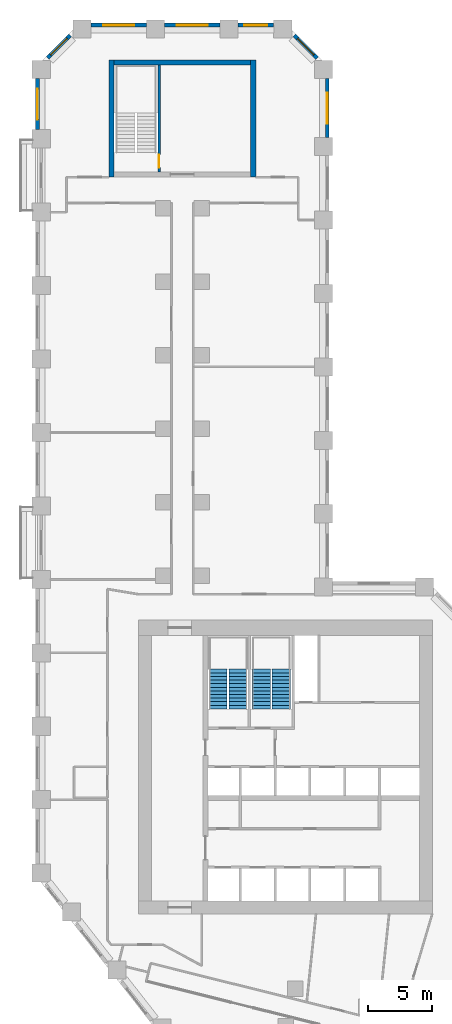
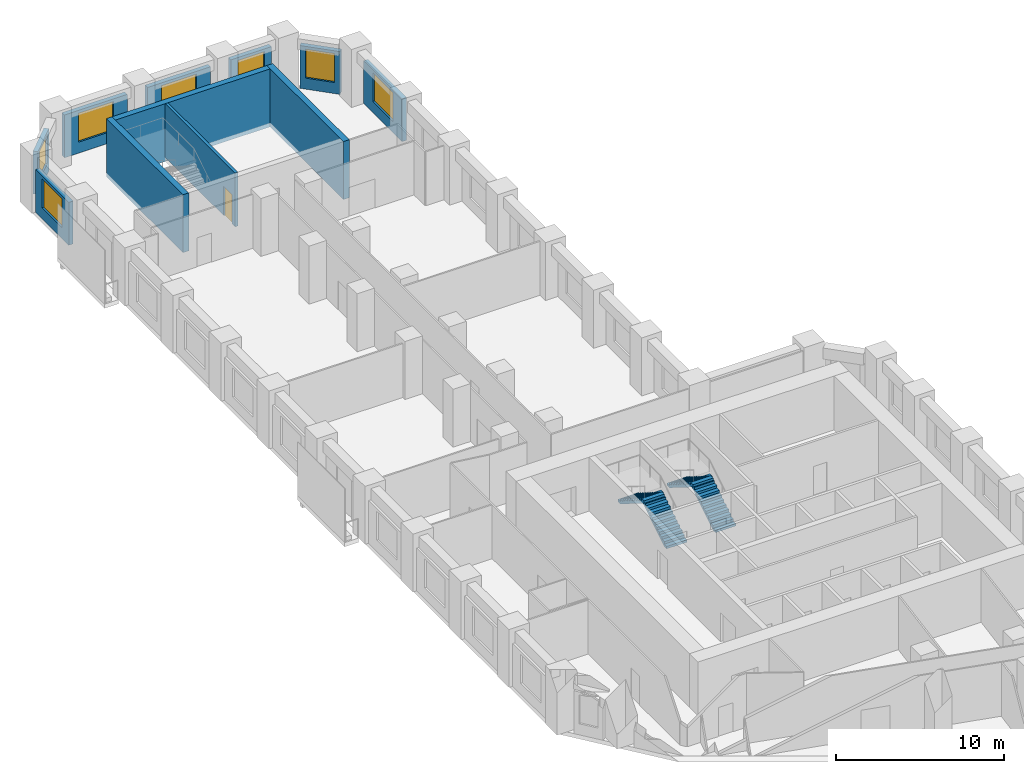
# One storey, part 9 of 11: 11 walls, 7 windows, 4 stair flights, 1 door, 8 openings, 2 elements without a shape of their own.
"""IFC4 building model written with IfcOpenShell, lengths in metres."""

from ifc_helpers import new_model, si_unit, direction, frame, frame_2d, origin, place, context, subcontext, project, spatial, polyline, rectangle, outline, extrude, material, layer, layer_set, type_object, element, fill, aggregate, save


model = new_model("IFC4")

# Units and contexts
model_context = context("Model", 3, precision=1e-05, world=origin(), true_north=direction((0.0, 1.0)))
body_context = subcontext(model_context, "Body", "Model", "MODEL_VIEW")
ifc_project = project(units=[si_unit("LENGTHUNIT", "METRE"), si_unit("AREAUNIT", "SQUARE_METRE"), si_unit("VOLUMEUNIT", "CUBIC_METRE"), si_unit("PLANEANGLEUNIT", "RADIAN"), si_unit("MASSUNIT", "GRAM", prefix="KILO")], contexts=[model_context])

# Site, building, storey
site_placement = place(None, origin())
site = spatial("IfcSite", under=ifc_project, at=site_placement, CompositionType="ELEMENT")
building_placement = place(site_placement, origin())
building = spatial("IfcBuilding", under=site, at=building_placement, Name="Meshkara Civic Tower", CompositionType="ELEMENT")
storey_placement = place(building_placement, frame((0.0, 0.0, 54.0)))
storey = spatial("IfcBuildingStorey", under=building, at=storey_placement, Name="L11", CompositionType="ELEMENT", Elevation=54.0)

# Wall, opening, window
ifc_material_1 = material(Name="Insulated infill panel with bronze anodised aluminium cladding", Category="aluminium")
ifc_layer_1 = layer(ifc_material_1, 0.300048828125)
ifc_layer_set_1 = layer_set([ifc_layer_1], Name="EXTERNAL INFILL WALL 300")
wall_type_1 = type_object("IfcWallType", Name="EXTERNAL INFILL WALL 300", PredefinedType="SOLIDWALL", material=ifc_layer_set_1)
wall_1_placement = place(storey_placement, frame((22.64990234375, 74.35009765625, 0.0), z_axis=(0.0, 0.0, 1.0), x_axis=(0.0, 1.0, 0.0)))
wall_1 = element("IfcWall", 1, at=wall_1_placement, inside=storey, type_object=wall_type_1, Name="External wall", PredefinedType="SOLIDWALL", context=body_context, shape_type="SweptSolid", body=[
    extrude(rectangle(XDim=4.56396484375, YDim=0.300048828125, at=frame_2d((2.281982421875, 0.0))), origin(), (0.0, 0.0, 1.0), 3.10009765625),
])
opening_1_placement = place(wall_1_placement, frame((1.08203125, 0.0, 0.800048828125)))
opening_1 = element("IfcOpeningElement", 2, at=opening_1_placement, cuts=wall_1, Name="Opening W7", PredefinedType="OPENING", context=body_context, shape_type="SweptSolid", body=[
    extrude(rectangle(XDim=2.39990234375, YDim=2.10009765625, at=frame_2d((1.199951171875, 1.050048828125))), frame((0.0, 0.159912109375, 0.0), z_axis=(0.0, -1.0, 0.0), x_axis=(1.0, 0.0, 0.0)), (0.0, 0.0, 1.0), 0.320068359375),
])
ifc_material_2 = material(Name="Tinted double glazing", Category="glass")
window_type_1 = type_object("IfcWindowType", Name="WINDOW 2400x2100", PartitioningType="DOUBLE_PANEL_VERTICAL", PredefinedType="WINDOW", material=ifc_material_2)
window_1_placement = place(opening_1_placement, origin())
window_1 = element("IfcWindow", 3, at=window_1_placement, inside=storey, type_object=window_type_1, Name="Window", OverallHeight=2.10009765625, OverallWidth=2.39990234375, PartitioningType="DOUBLE_PANEL_VERTICAL", PredefinedType="WINDOW", context=body_context, shape_type="SweptSolid", body=[
    extrude(rectangle(XDim=2.39990234375, YDim=2.10009765625, at=frame_2d((1.199951171875, 1.050048828125))), frame((0.0, 0.030029296875, 0.0), z_axis=(0.0, -1.0, 0.0), x_axis=(1.0, 0.0, 0.0)), (0.0, 0.0, 1.0), 0.06005859375),
])
fill(opening_1, window_1)

wall_2_placement = place(storey_placement, frame((21.862060546875, 80.52587890625, 0.0), z_axis=(0.0, 0.0, 1.0), x_axis=(-0.707106781187, 0.707106781187, 0.0)))
wall_2 = element("IfcWall", 4, at=wall_2_placement, inside=storey, type_object=wall_type_1, Name="External wall", PredefinedType="SOLIDWALL", context=body_context, shape_type="SweptSolid", body=[
    extrude(rectangle(XDim=2.4833984375, YDim=0.300048828125, at=frame_2d((1.24169921875, 0.0))), origin(), (0.0, 0.0, 1.0), 3.10009765625),
])
opening_2_placement = place(wall_2_placement, frame((0.342041015625, 0.0, 0.800048828125)))
opening_2 = element("IfcOpeningElement", 5, at=opening_2_placement, cuts=wall_2, Name="Opening W9", PredefinedType="OPENING", context=body_context, shape_type="SweptSolid", body=[
    extrude(rectangle(XDim=1.800048828125, YDim=2.10009765625, at=frame_2d((0.89990234375, 1.050048828125))), frame((0.0, 0.159912109375, 0.0), z_axis=(0.0, -1.0, 0.0), x_axis=(1.0, 0.0, 0.0)), (0.0, 0.0, 1.0), 0.320068359375),
])
ifc_material_3 = material(Name="Tinted double glazing", Category="glass")
window_type_2 = type_object("IfcWindowType", Name="WINDOW 1800x2100", PartitioningType="DOUBLE_PANEL_VERTICAL", PredefinedType="WINDOW", material=ifc_material_3)
window_2_placement = place(opening_2_placement, origin())
window_2 = element("IfcWindow", 6, at=window_2_placement, inside=storey, type_object=window_type_2, Name="Window", OverallHeight=2.10009765625, OverallWidth=1.800048828125, PartitioningType="DOUBLE_PANEL_VERTICAL", PredefinedType="WINDOW", context=body_context, shape_type="SweptSolid", body=[
    extrude(rectangle(XDim=1.800048828125, YDim=2.10009765625, at=frame_2d((0.89990234375, 1.050048828125))), frame((0.0, 0.030029296875, 0.0), z_axis=(0.0, -1.0, 0.0), x_axis=(1.0, 0.0, 0.0)), (0.0, 0.0, 1.0), 0.06005859375),
])
fill(opening_2, window_2)

wall_3_placement = place(storey_placement, frame((18.493896484375, 83.070068359375, 0.0), z_axis=(0.0, 0.0, 1.0), x_axis=(-1.0, 0.0, 0.0)))
wall_3 = element("IfcWall", 7, at=wall_3_placement, inside=storey, type_object=wall_type_1, Name="External wall", PredefinedType="SOLIDWALL", context=body_context, shape_type="SweptSolid", body=[
    extrude(rectangle(XDim=2.787841796875, YDim=0.300048828125, at=frame_2d((1.39404296875, 0.0))), origin(), (0.0, 0.0, 1.0), 3.10009765625),
])
opening_3_placement = place(wall_3_placement, frame((0.493896484375, 0.0, 0.800048828125)))
opening_3 = element("IfcOpeningElement", 8, at=opening_3_placement, cuts=wall_3, Name="Opening W9", PredefinedType="OPENING", context=body_context, shape_type="SweptSolid", body=[
    extrude(rectangle(XDim=1.800048828125, YDim=2.10009765625, at=frame_2d((0.89990234375, 1.050048828125))), frame((0.0, 0.159912109375, 0.0), z_axis=(0.0, -1.0, 0.0), x_axis=(1.0, 0.0, 0.0)), (0.0, 0.0, 1.0), 0.320068359375),
])
window_3_placement = place(opening_3_placement, origin())
window_3 = element("IfcWindow", 9, at=window_3_placement, inside=storey, type_object=window_type_2, Name="Window", OverallHeight=2.10009765625, OverallWidth=1.800048828125, PartitioningType="DOUBLE_PANEL_VERTICAL", PredefinedType="WINDOW", context=body_context, shape_type="SweptSolid", body=[
    extrude(rectangle(XDim=1.800048828125, YDim=2.10009765625, at=frame_2d((0.89990234375, 1.050048828125))), frame((0.0, 0.030029296875, 0.0), z_axis=(0.0, -1.0, 0.0), x_axis=(1.0, 0.0, 0.0)), (0.0, 0.0, 1.0), 0.06005859375),
])
fill(opening_3, window_3)

wall_4_placement = place(storey_placement, frame((14.305908203125, 83.070068359375, 0.0), z_axis=(0.0, 0.0, 1.0), x_axis=(-1.0, 0.0, 0.0)))
wall_4 = element("IfcWall", 10, at=wall_4_placement, inside=storey, type_object=wall_type_1, Name="External wall", PredefinedType="SOLIDWALL", context=body_context, shape_type="SweptSolid", body=[
    extrude(rectangle(XDim=4.2998046875, YDim=0.300048828125, at=frame_2d((2.14990234375, 0.0))), origin(), (0.0, 0.0, 1.0), 3.10009765625),
])
opening_4_placement = place(wall_4_placement, frame((0.949951171875, 0.0, 0.800048828125)))
opening_4 = element("IfcOpeningElement", 11, at=opening_4_placement, cuts=wall_4, Name="Opening W7", PredefinedType="OPENING", context=body_context, shape_type="SweptSolid", body=[
    extrude(rectangle(XDim=2.39990234375, YDim=2.10009765625, at=frame_2d((1.199951171875, 1.050048828125))), frame((0.0, 0.159912109375, 0.0), z_axis=(0.0, -1.0, 0.0), x_axis=(1.0, 0.0, 0.0)), (0.0, 0.0, 1.0), 0.320068359375),
])
window_4_placement = place(opening_4_placement, origin())
window_4 = element("IfcWindow", 12, at=window_4_placement, inside=storey, type_object=window_type_1, Name="Window", OverallHeight=2.10009765625, OverallWidth=2.39990234375, PartitioningType="DOUBLE_PANEL_VERTICAL", PredefinedType="WINDOW", context=body_context, shape_type="SweptSolid", body=[
    extrude(rectangle(XDim=2.39990234375, YDim=2.10009765625, at=frame_2d((1.199951171875, 1.050048828125))), frame((0.0, 0.030029296875, 0.0), z_axis=(0.0, -1.0, 0.0), x_axis=(1.0, 0.0, 0.0)), (0.0, 0.0, 1.0), 0.06005859375),
])
fill(opening_4, window_4)

wall_5_placement = place(storey_placement, frame((8.60595703125, 83.070068359375, 0.0), z_axis=(0.0, 0.0, 1.0), x_axis=(-1.0, 0.0, 0.0)))
wall_5 = element("IfcWall", 13, at=wall_5_placement, inside=storey, type_object=wall_type_1, Name="External wall", PredefinedType="SOLIDWALL", context=body_context, shape_type="SweptSolid", body=[
    extrude(rectangle(XDim=4.300048828125, YDim=0.300048828125, at=frame_2d((2.14990234375, 0.0))), origin(), (0.0, 0.0, 1.0), 3.10009765625),
])
opening_5_placement = place(wall_5_placement, frame((0.949951171875, 0.0, 0.800048828125)))
opening_5 = element("IfcOpeningElement", 14, at=opening_5_placement, cuts=wall_5, Name="Opening W7", PredefinedType="OPENING", context=body_context, shape_type="SweptSolid", body=[
    extrude(rectangle(XDim=2.39990234375, YDim=2.10009765625, at=frame_2d((1.199951171875, 1.050048828125))), frame((0.0, 0.159912109375, 0.0), z_axis=(0.0, -1.0, 0.0), x_axis=(1.0, 0.0, 0.0)), (0.0, 0.0, 1.0), 0.320068359375),
])
window_5_placement = place(opening_5_placement, origin())
window_5 = element("IfcWindow", 15, at=window_5_placement, inside=storey, type_object=window_type_1, Name="Window", OverallHeight=2.10009765625, OverallWidth=2.39990234375, PartitioningType="DOUBLE_PANEL_VERTICAL", PredefinedType="WINDOW", context=body_context, shape_type="SweptSolid", body=[
    extrude(rectangle(XDim=2.39990234375, YDim=2.10009765625, at=frame_2d((1.199951171875, 1.050048828125))), frame((0.0, 0.030029296875, 0.0), z_axis=(0.0, -1.0, 0.0), x_axis=(1.0, 0.0, 0.0)), (0.0, 0.0, 1.0), 0.06005859375),
])
fill(opening_5, window_5)

wall_6_placement = place(storey_placement, frame((2.694091796875, 82.281982421875, 0.0), z_axis=(0.0, 0.0, 1.0), x_axis=(-0.707106781187, -0.707106781187, 0.0)))
wall_6 = element("IfcWall", 16, at=wall_6_placement, inside=storey, type_object=wall_type_1, Name="External wall", PredefinedType="SOLIDWALL", context=body_context, shape_type="SweptSolid", body=[
    extrude(rectangle(XDim=2.4833984375, YDim=0.300048828125, at=frame_2d((1.24169921875, 0.0))), origin(), (0.0, 0.0, 1.0), 3.10009765625),
])
opening_6_placement = place(wall_6_placement, frame((0.342041015625, 0.0, 0.800048828125)))
opening_6 = element("IfcOpeningElement", 17, at=opening_6_placement, cuts=wall_6, Name="Opening W9", PredefinedType="OPENING", context=body_context, shape_type="SweptSolid", body=[
    extrude(rectangle(XDim=1.800048828125, YDim=2.10009765625, at=frame_2d((0.89990234375, 1.050048828125))), frame((0.0, 0.159912109375, 0.0), z_axis=(0.0, -1.0, 0.0), x_axis=(1.0, 0.0, 0.0)), (0.0, 0.0, 1.0), 0.320068359375),
])
window_6_placement = place(opening_6_placement, origin())
window_6 = element("IfcWindow", 18, at=window_6_placement, inside=storey, type_object=window_type_2, Name="Window", OverallHeight=2.10009765625, OverallWidth=1.800048828125, PartitioningType="DOUBLE_PANEL_VERTICAL", PredefinedType="WINDOW", context=body_context, shape_type="SweptSolid", body=[
    extrude(rectangle(XDim=1.800048828125, YDim=2.10009765625, at=frame_2d((0.89990234375, 1.050048828125))), frame((0.0, 0.030029296875, 0.0), z_axis=(0.0, -1.0, 0.0), x_axis=(1.0, 0.0, 0.0)), (0.0, 0.0, 1.0), 0.06005859375),
])
fill(opening_6, window_6)

wall_7_placement = place(storey_placement, frame((0.14990234375, 78.9140625, 0.0), z_axis=(0.0, 0.0, 1.0), x_axis=(0.0, -1.0, 0.0)))
wall_7 = element("IfcWall", 19, at=wall_7_placement, inside=storey, type_object=wall_type_1, Name="External wall", PredefinedType="SOLIDWALL", context=body_context, shape_type="SweptSolid", body=[
    extrude(rectangle(XDim=3.958984375, YDim=0.300048828125, at=frame_2d((1.9794921875, 0.0))), origin(), (0.0, 0.0, 1.0), 3.10009765625),
])
opening_7_placement = place(wall_7_placement, frame((0.780029296875, 0.0, 0.800048828125)))
opening_7 = element("IfcOpeningElement", 20, at=opening_7_placement, cuts=wall_7, Name="Opening W7", PredefinedType="OPENING", context=body_context, shape_type="SweptSolid", body=[
    extrude(rectangle(XDim=2.39990234375, YDim=2.10009765625, at=frame_2d((1.199951171875, 1.050048828125))), frame((0.0, 0.159912109375, 0.0), z_axis=(0.0, -1.0, 0.0), x_axis=(1.0, 0.0, 0.0)), (0.0, 0.0, 1.0), 0.320068359375),
])
window_7_placement = place(opening_7_placement, origin())
window_7 = element("IfcWindow", 21, at=window_7_placement, inside=storey, type_object=window_type_1, Name="Window", OverallHeight=2.10009765625, OverallWidth=2.39990234375, PartitioningType="DOUBLE_PANEL_VERTICAL", PredefinedType="WINDOW", context=body_context, shape_type="SweptSolid", body=[
    extrude(rectangle(XDim=2.39990234375, YDim=2.10009765625, at=frame_2d((1.199951171875, 1.050048828125))), frame((0.0, 0.030029296875, 0.0), z_axis=(0.0, -1.0, 0.0), x_axis=(1.0, 0.0, 0.0)), (0.0, 0.0, 1.0), 0.06005859375),
])
fill(opening_7, window_7)

# Walls
ifc_material_4 = material(Name="Concrete C80", Category="concrete")
ifc_layer_2 = layer(ifc_material_4, 0.39990234375)
ifc_layer_set_2 = layer_set([ifc_layer_2], Name="End core ring wall 400 C80")
wall_type_2 = type_object("IfcWallType", Name="End core ring wall 400 C80", PredefinedType="SHEAR", material=ifc_layer_set_2)
for number, where, z_axis, x_axis, name in (
    (22, (5.89990234375, 71.27001953125, -0.300048828125), (0.0, 0.0, 1.0), (0.0, 1.0, 0.0), "L11-C025"),
    (23, (16.89990234375, 71.27001953125, -0.300048828125), (0.0, 0.0, 1.0), (0.0, 1.0, 0.0), "L11-C026"),
):
    element("IfcWall", number, at=place(storey_placement, frame(where, z_axis=z_axis, x_axis=x_axis)), inside=storey, type_object=wall_type_2, Name=name, PredefinedType="SHEAR", context=body_context, shape_type="SweptSolid", body=[
        extrude(rectangle(XDim=9.10009765625, YDim=0.39990234375, at=frame_2d((4.550048828125, 0.0))), origin(), (0.0, 0.0, 1.0), 4.199951171875),
    ])
wall_8_placement = place(storey_placement, frame((6.10009765625, 80.169921875, -0.300048828125), z_axis=(0.0, 0.0, 1.0), x_axis=(1.0, 0.0, 0.0)))
element("IfcWall", 24, at=wall_8_placement, inside=storey, type_object=wall_type_2, Name="L11-C028", PredefinedType="SHEAR", context=body_context, shape_type="SweptSolid", body=[
    extrude(rectangle(XDim=10.599853515625, YDim=0.39990234375, at=frame_2d((5.2998046875, 0.0))), origin(), (0.0, 0.0, 1.0), 4.199951171875),
])

# Wall, opening, door
ifc_material_5 = material(Name="Concrete C40/50", Category="concrete")
ifc_layer_3 = layer(ifc_material_5, 0.199951171875)
ifc_layer_set_3 = layer_set([ifc_layer_3], Name="Stair enclosure wall 200 C40/50")
wall_type_3 = type_object("IfcWallType", Name="Stair enclosure wall 200 C40/50", PredefinedType="SOLIDWALL", material=ifc_layer_set_3)
wall_9_placement = place(storey_placement, frame((9.60009765625, 71.669921875, 0.0), z_axis=(0.0, 0.0, 1.0), x_axis=(0.0, 1.0, 0.0)))
wall_9 = element("IfcWall", 25, at=wall_9_placement, inside=storey, type_object=wall_type_3, Name="L11-C029", PredefinedType="SOLIDWALL", context=body_context, shape_type="SweptSolid", body=[
    extrude(rectangle(XDim=8.300048828125, YDim=0.199951171875, at=frame_2d((4.14990234375, 0.0))), origin(), (0.0, 0.0, 1.0), 3.89990234375),
])
opening_8_placement = place(wall_9_placement, frame((0.35009765625, 0.0, 0.0)))
opening_8 = element("IfcOpeningElement", 26, at=opening_8_placement, cuts=wall_9, Name="Opening L11-K101", PredefinedType="OPENING", context=body_context, shape_type="SweptSolid", body=[
    extrude(rectangle(XDim=1.0, YDim=2.10009765625, at=frame_2d((0.5, 1.050048828125))), frame((0.0, 0.10986328125, 0.0), z_axis=(0.0, -1.0, 0.0), x_axis=(1.0, 0.0, 0.0)), (0.0, 0.0, 1.0), 0.219970703125),
])
ifc_material_6 = material(Name="Fire-rated door leaf in steel frame", Category="steel")
door_type = type_object("IfcDoorType", Name="Stair door 1000 EI 120", OperationType="SINGLE_SWING_LEFT", PredefinedType="DOOR", material=ifc_material_6)
door_placement = place(opening_8_placement, origin())
door = element("IfcDoor", 27, at=door_placement, inside=storey, type_object=door_type, Name="L11-K101", OperationType="SINGLE_SWING_RIGHT", OverallHeight=2.10009765625, OverallWidth=1.0, PredefinedType="DOOR", context=body_context, shape_type="SweptSolid", body=[
    extrude(rectangle(XDim=1.0, YDim=2.10009765625, at=frame_2d((0.5, 1.050048828125))), frame((0.0, 0.02490234375, 0.0), z_axis=(0.0, -1.0, 0.0), x_axis=(1.0, 0.0, 0.0)), (0.0, 0.0, 1.0), 0.050048828125),
])
fill(opening_8, door)

# Stair, stair flights
ifc_material_7 = material(Name="Precast concrete C40/50", Category="concrete")
stair_type = type_object("IfcStairType", Name="Exit stair half-turn 24 risers precast", PredefinedType="HALF_TURN_STAIR", material=ifc_material_7)
stair_1_placement = place(storey_placement, origin())
stair_1 = element("IfcStair", 28, at=stair_1_placement, inside=storey, type_object=stair_type, Name="L11 exit stair 1", PredefinedType="HALF_TURN_STAIR")
ifc_material_8 = material(Name="Precast concrete C40/50", Category="concrete")
stair_flight_type = type_object("IfcStairFlightType", Name="Exit stair flight 12 risers precast", PredefinedType="STRAIGHT", material=ifc_material_8)
stair_flight_1_placement = place(storey_placement, frame((15.72509765625, 30.0, 0.0), z_axis=(0.0, 0.0, 1.0), x_axis=(0.0, 1.0, 0.0)))
stair_flight_1 = element("IfcStairFlight", 29, at=stair_flight_1_placement, type_object=stair_flight_type, Name="ST1 flight 1", NumberOfRisers=12, NumberOfTreads=11, PredefinedType="STRAIGHT", RiserHeight=0.175, TreadLength=0.28, context=body_context, shape_type="SweptSolid", body=[
    extrude(outline(polyline([(0.0, 0.0), (0.0, 0.175048828125), (0.280029296875, 0.175048828125), (0.280029296875, 0.35009765625), (0.56005859375, 0.35009765625), (0.56005859375, 0.52490234375), (0.840087890625, 0.52490234375), (0.840087890625, 0.699951171875), (1.1201171875, 0.699951171875), (1.1201171875, 0.875), (1.39990234375, 0.875), (1.39990234375, 1.050048828125), (1.679931640625, 1.050048828125), (1.679931640625, 1.22509765625), (1.9599609375, 1.22509765625), (1.9599609375, 1.39990234375), (2.239990234375, 1.39990234375), (2.239990234375, 1.574951171875), (2.52001953125, 1.574951171875), (2.52001953125, 1.75), (2.800048828125, 1.75), (2.800048828125, 1.925048828125), (3.080078125, 1.925048828125), (3.080078125, 2.10009765625), (3.080078125, 1.748291015625), (0.28271484375, 0.0), (0.0, 0.0)])), frame((0.0, 0.699951171875, 0.0), z_axis=(0.0, -1.0, 0.0), x_axis=(1.0, 0.0, 0.0)), (0.0, 0.0, 1.0), 1.39990234375),
])
stair_flight_2_placement = place(storey_placement, frame((14.175048828125, 33.080078125, 2.10009765625), z_axis=(0.0, 0.0, 1.0), x_axis=(0.0, -1.0, 0.0)))
stair_flight_2 = element("IfcStairFlight", 30, at=stair_flight_2_placement, type_object=stair_flight_type, Name="ST1 flight 2", NumberOfRisers=12, NumberOfTreads=11, PredefinedType="STRAIGHT", RiserHeight=0.175, TreadLength=0.28, context=body_context, shape_type="SweptSolid", body=[
    extrude(outline(polyline([(0.0, 0.0), (0.0, 0.175048828125), (0.280029296875, 0.175048828125), (0.280029296875, 0.35009765625), (0.56005859375, 0.35009765625), (0.56005859375, 0.52490234375), (0.840087890625, 0.52490234375), (0.840087890625, 0.699951171875), (1.1201171875, 0.699951171875), (1.1201171875, 0.875), (1.39990234375, 0.875), (1.39990234375, 1.050048828125), (1.679931640625, 1.050048828125), (1.679931640625, 1.22509765625), (1.9599609375, 1.22509765625), (1.9599609375, 1.39990234375), (2.239990234375, 1.39990234375), (2.239990234375, 1.574951171875), (2.52001953125, 1.574951171875), (2.52001953125, 1.75), (2.800048828125, 1.75), (2.800048828125, 1.925048828125), (3.080078125, 1.925048828125), (3.080078125, 2.10009765625), (3.080078125, 1.748291015625), (0.28271484375, 0.0), (0.0, 0.0)])), frame((0.0, 0.699951171875, 0.0), z_axis=(0.0, -1.0, 0.0), x_axis=(1.0, 0.0, 0.0)), (0.0, 0.0, 1.0), 1.39990234375),
])
aggregate(stair_1, [stair_flight_1, stair_flight_2])

stair_2_placement = place(storey_placement, origin())
stair_2 = element("IfcStair", 31, at=stair_2_placement, inside=storey, type_object=stair_type, Name="L11 exit stair 2", PredefinedType="HALF_TURN_STAIR")
stair_flight_3_placement = place(storey_placement, frame((19.074951171875, 30.0, 0.0), z_axis=(0.0, 0.0, 1.0), x_axis=(0.0, 1.0, 0.0)))
stair_flight_3 = element("IfcStairFlight", 32, at=stair_flight_3_placement, type_object=stair_flight_type, Name="ST2 flight 1", NumberOfRisers=12, NumberOfTreads=11, PredefinedType="STRAIGHT", RiserHeight=0.175, TreadLength=0.28, context=body_context, shape_type="SweptSolid", body=[
    extrude(outline(polyline([(0.0, 0.0), (0.0, 0.175048828125), (0.280029296875, 0.175048828125), (0.280029296875, 0.35009765625), (0.56005859375, 0.35009765625), (0.56005859375, 0.52490234375), (0.840087890625, 0.52490234375), (0.840087890625, 0.699951171875), (1.1201171875, 0.699951171875), (1.1201171875, 0.875), (1.39990234375, 0.875), (1.39990234375, 1.050048828125), (1.679931640625, 1.050048828125), (1.679931640625, 1.22509765625), (1.9599609375, 1.22509765625), (1.9599609375, 1.39990234375), (2.239990234375, 1.39990234375), (2.239990234375, 1.574951171875), (2.52001953125, 1.574951171875), (2.52001953125, 1.75), (2.800048828125, 1.75), (2.800048828125, 1.925048828125), (3.080078125, 1.925048828125), (3.080078125, 2.10009765625), (3.080078125, 1.748291015625), (0.28271484375, 0.0), (0.0, 0.0)])), frame((0.0, 0.699951171875, 0.0), z_axis=(0.0, -1.0, 0.0), x_axis=(1.0, 0.0, 0.0)), (0.0, 0.0, 1.0), 1.39990234375),
])
stair_flight_4_placement = place(storey_placement, frame((17.52490234375, 33.080078125, 2.10009765625), z_axis=(0.0, 0.0, 1.0), x_axis=(0.0, -1.0, 0.0)))
stair_flight_4 = element("IfcStairFlight", 33, at=stair_flight_4_placement, type_object=stair_flight_type, Name="ST2 flight 2", NumberOfRisers=12, NumberOfTreads=11, PredefinedType="STRAIGHT", RiserHeight=0.175, TreadLength=0.28, context=body_context, shape_type="SweptSolid", body=[
    extrude(outline(polyline([(0.0, 0.0), (0.0, 0.175048828125), (0.280029296875, 0.175048828125), (0.280029296875, 0.35009765625), (0.56005859375, 0.35009765625), (0.56005859375, 0.52490234375), (0.840087890625, 0.52490234375), (0.840087890625, 0.699951171875), (1.1201171875, 0.699951171875), (1.1201171875, 0.875), (1.39990234375, 0.875), (1.39990234375, 1.050048828125), (1.679931640625, 1.050048828125), (1.679931640625, 1.22509765625), (1.9599609375, 1.22509765625), (1.9599609375, 1.39990234375), (2.239990234375, 1.39990234375), (2.239990234375, 1.574951171875), (2.52001953125, 1.574951171875), (2.52001953125, 1.75), (2.800048828125, 1.75), (2.800048828125, 1.925048828125), (3.080078125, 1.925048828125), (3.080078125, 2.10009765625), (3.080078125, 1.748291015625), (0.28271484375, 0.0), (0.0, 0.0)])), frame((0.0, 0.699951171875, 0.0), z_axis=(0.0, -1.0, 0.0), x_axis=(1.0, 0.0, 0.0)), (0.0, 0.0, 1.0), 1.39990234375),
])
aggregate(stair_2, [stair_flight_3, stair_flight_4])

save(model, "model.ifc")
